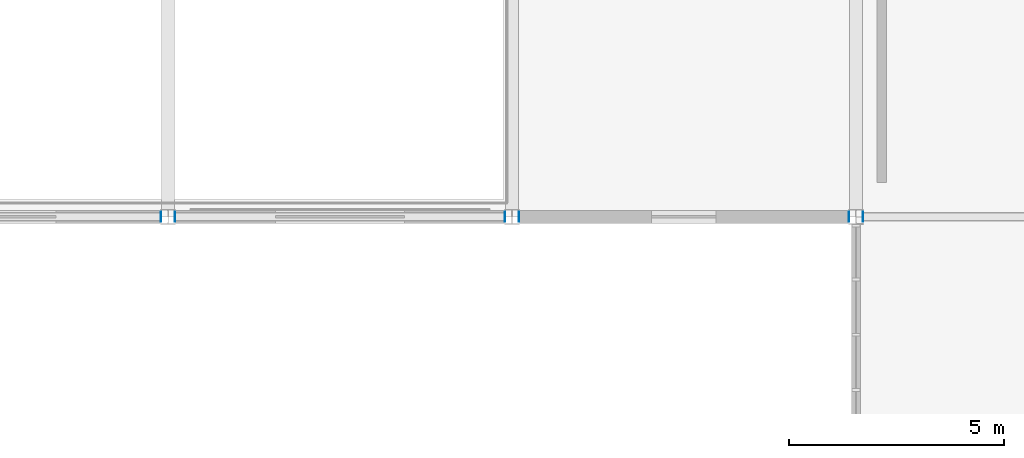
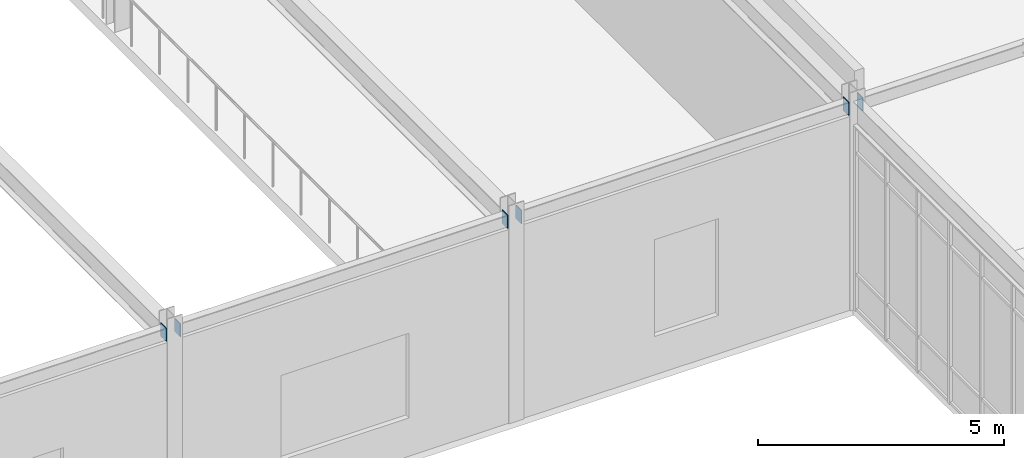
# One storey, part 130 of 184: 6 plates.
"""IFC4 building model written with IfcOpenShell, lengths in metres."""

from ifc_helpers import new_model, si_unit, direction, frame, origin, origin_2d, place, context, subcontext, project, spatial, rectangle, extrude, material, layer, layer_set, type_object, element, save


model = new_model("IFC4")

# Units and contexts
model_context = context("Model", 3, precision=1e-05, world=origin(), true_north=direction((0.0, 1.0)))
body_context = subcontext(model_context, "Body", "Model", "MODEL_VIEW")
ifc_project = project(units=[si_unit("LENGTHUNIT", "METRE"), si_unit("AREAUNIT", "SQUARE_METRE"), si_unit("VOLUMEUNIT", "CUBIC_METRE"), si_unit("PLANEANGLEUNIT", "RADIAN"), si_unit("MASSUNIT", "GRAM", prefix="KILO")], contexts=[model_context])

# Site, building, storey
site_placement = place(None, origin())
site = spatial("IfcSite", under=ifc_project, at=site_placement, CompositionType="ELEMENT")
building_placement = place(site_placement, origin())
building = spatial("IfcBuilding", under=site, at=building_placement, Name="Zhaolan Boulevard Law Courts", CompositionType="ELEMENT")
storey_placement = place(building_placement, frame((0.0, 0.0, 5.39990234375)))
storey = spatial("IfcBuildingStorey", under=building, at=storey_placement, Name="L01", CompositionType="ELEMENT", Elevation=5.39990234375)

# Plates
ifc_material = material(Name="Structural steel Q355B", Category="steel")
ifc_layer = layer(ifc_material, 0.02001953125)
ifc_layer_set = layer_set([ifc_layer])
plate_type = type_object("IfcPlateType", Name="END CAP PLATE 20", PredefinedType="SHEET", material=ifc_layer_set)
for number, where, z_axis, x_axis, name in (
    (1, (99.8369140625, 62.0, 4.802978515625), (0.0, 0.0, 1.0), (1.0, 0.0, 0.0), "Hollow Section End-Cap Plate ECP-0802"),
    (2, (100.1630859375, 62.0, 4.802978515625), (0.0, 0.0, 1.0), (1.0, 0.0, 0.0), "Hollow Section End-Cap Plate ECP-0803"),
    (3, (107.8369140625, 62.0, 4.802978515625), (0.0, 0.0, 1.0), (1.0, 0.0, 0.0), "Hollow Section End-Cap Plate ECP-0804"),
    (4, (108.1630859375, 62.0, 4.802978515625), (0.0, 0.0, 1.0), (1.0, 0.0, 0.0), "Hollow Section End-Cap Plate ECP-0805"),
    (5, (115.8369140625, 62.0, 4.802978515625), (0.0, 0.0, 1.0), (1.0, 0.0, 0.0), "Hollow Section End-Cap Plate ECP-0806"),
    (6, (116.1630859375, 62.0, 4.802978515625), (0.0, 0.0, 1.0), (1.0, 0.0, 0.0), "Hollow Section End-Cap Plate ECP-0807"),
):
    element("IfcPlate", number, at=place(storey_placement, frame(where, z_axis=z_axis, x_axis=x_axis)), inside=storey, type_object=plate_type, Name=name, PredefinedType="SHEET", context=body_context, shape_type="SweptSolid", body=[
        extrude(rectangle(XDim=0.02001953125, YDim=0.22998046875, at=origin_2d()), origin(), (0.0, 0.0, 1.0), 0.330078125),
    ])

save(model, "model.ifc")
